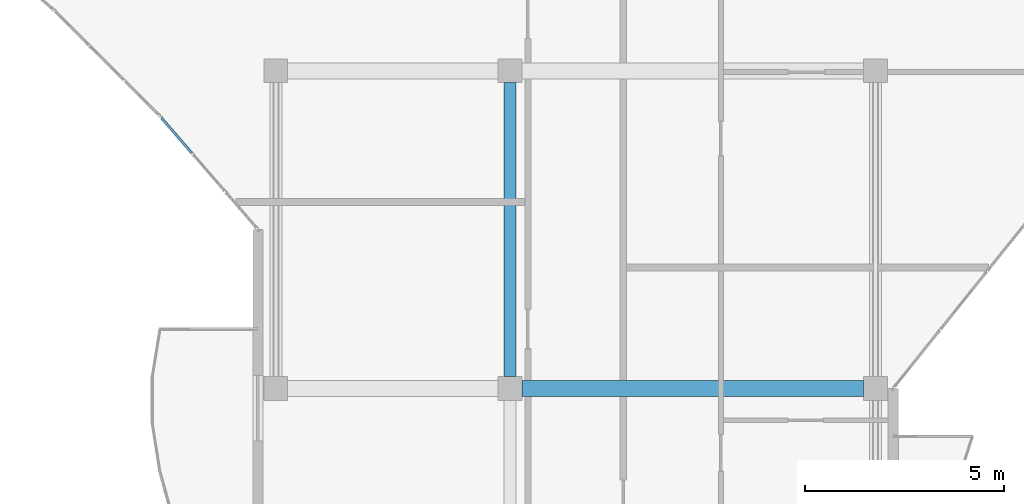
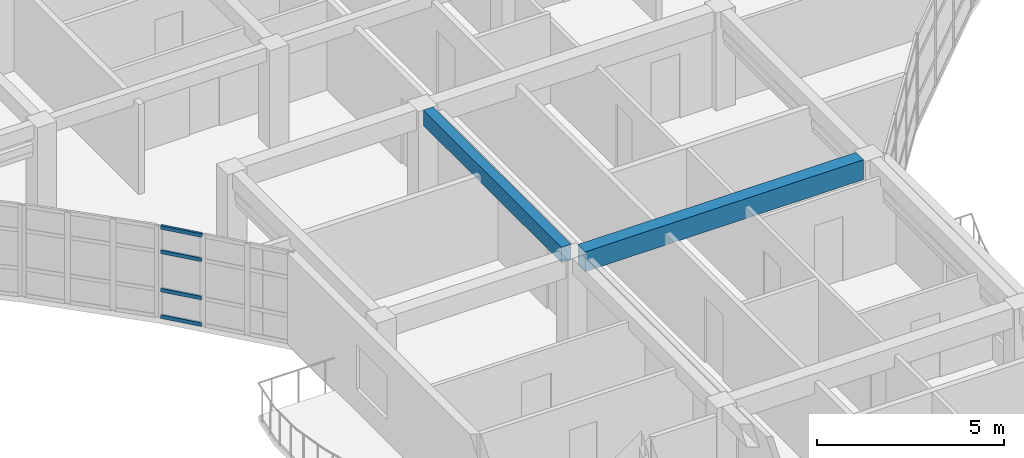
# One storey, part 12 of 71: 4 members, 2 beams, 1 element without a shape of its own.
"""IFC4 building model written with IfcOpenShell, lengths in metres."""

from ifc_helpers import new_model, si_unit, direction, frame, origin, origin_2d, place, context, subcontext, project, spatial, rectangle, hollow_rectangle, extrude, material, layer, layer_set, material_profile, profile_set, type_object, element, aggregate, save


model = new_model("IFC4")

# Units and contexts
model_context = context("Model", 3, precision=1e-05, world=origin(), true_north=direction((0.0, 1.0)))
body_context = subcontext(model_context, "Body", "Model", "MODEL_VIEW")
ifc_project = project(units=[si_unit("LENGTHUNIT", "METRE"), si_unit("AREAUNIT", "SQUARE_METRE"), si_unit("VOLUMEUNIT", "CUBIC_METRE"), si_unit("PLANEANGLEUNIT", "RADIAN"), si_unit("MASSUNIT", "GRAM", prefix="KILO")], contexts=[model_context])

# Site, building, storey
site_placement = place(None, origin())
site = spatial("IfcSite", under=ifc_project, at=site_placement, CompositionType="ELEMENT")
building_placement = place(site_placement, origin())
building = spatial("IfcBuilding", under=site, at=building_placement, Name="Keldmere Railside Commons", CompositionType="ELEMENT")
storey_placement = place(building_placement, frame((0.0, 0.0, 20.159912109375)))
storey = spatial("IfcBuildingStorey", under=building, at=storey_placement, Name="L06", CompositionType="ELEMENT", Elevation=20.159912109375)

# Beams
ifc_material_1 = material(Name="Concrete H-30 (C30/37)", Category="concrete")
ifc_material_profile_1 = material_profile(ifc_material_1, rectangle(XDim=0.39990234375, YDim=0.64990234375, at=origin_2d()), Name="RC-400x650")
ifc_profile_set_1 = profile_set([ifc_material_profile_1], Name="Concrete H-30 (C30/37)")
beam_type_1 = type_object("IfcBeamType", Name="Residential Spine RC Girder 400x650", PredefinedType="BEAM", material=ifc_profile_set_1)
beam_1_placement = place(storey_placement, frame((110.64990234375, 88.0, 2.875), z_axis=(1.0, 0.0, 0.0), x_axis=(0.0, 1.0, 0.0)))
element("IfcBeam", 1, at=beam_1_placement, inside=storey, type_object=beam_type_1, Name="BG-3 BM-L06-1886", PredefinedType="BEAM", context=body_context, shape_type="SweptSolid", body=[
    extrude(rectangle(XDim=0.39990234375, YDim=0.64990234375, at=origin_2d()), origin(), (0.0, 0.0, 1.0), 8.60009765625),
])
ifc_material_profile_2 = material_profile(ifc_material_1, rectangle(XDim=0.300048828125, YDim=0.5, at=origin_2d()), Name="RC-300x500")
ifc_profile_set_2 = profile_set([ifc_material_profile_2], Name="Concrete H-30 (C30/37)")
beam_type_2 = type_object("IfcBeamType", Name="Secondary Frame RC Beam 300x500", PredefinedType="BEAM", material=ifc_profile_set_2)
beam_2_placement = place(storey_placement, frame((110.35009765625, 88.300048828125, 2.9501953125), z_axis=(0.0, 1.0, 0.0), x_axis=(-1.0, 0.0, 0.0)))
element("IfcBeam", 2, at=beam_2_placement, inside=storey, type_object=beam_type_2, Name="BG-5 BM-L06-1985", PredefinedType="BEAM", context=body_context, shape_type="SweptSolid", body=[
    extrude(rectangle(XDim=0.300048828125, YDim=0.5, at=origin_2d()), origin(), (0.0, 0.0, 1.0), 7.39990234375),
])

# Curtain wall, members
ifc_material_2 = material(Name="Thermally Broken Aluminium", Category="aluminium")
ifc_layer = layer(ifc_material_2, 0.159912109375, Name="Court Chord Wintergarden CW 4800x2850")
ifc_layer_set = layer_set([ifc_layer], Name="Thermally Broken Aluminium")
curtain_wall_type = type_object("IfcCurtainWallType", Name="Court Chord Wintergarden CW 4800x2850", PredefinedType="NOTDEFINED", material=ifc_layer_set)
curtain_wall_placement = place(storey_placement, origin())
curtain_wall = element("IfcCurtainWall", 3, at=curtain_wall_placement, inside=storey, type_object=curtain_wall_type, Name="CW-12 CW-L06-126", PredefinedType="NOTDEFINED")
ifc_material_profile_3 = material_profile(ifc_material_2, hollow_rectangle(XDim=0.06494140625, YDim=0.1201171875, WallThickness=0.00390625, at=origin_2d()), Name="ALU-TRAN-65x120")
ifc_profile_set_3 = profile_set([ifc_material_profile_3], Name="Thermally Broken Aluminium")
member_type = type_object("IfcMemberType", Name="Unitised Curtain Wall Transom 65x120", PredefinedType="USERDEFINED", material=ifc_profile_set_3)
member_1_placement = place(storey_placement, frame((102.33203125, 93.929931640625, 0.032470703125), z_axis=(-0.653849663033, 0.756624489527, 0.0), x_axis=(-0.756624489527, -0.653849663033, 0.0)))
member_1 = element("IfcMember", 4, at=member_1_placement, type_object=member_type, Name="CW-12 transom 3.1", ObjectType="TRANSOM", PredefinedType="USERDEFINED", context=body_context, shape_type="SweptSolid", body=[
    extrude(hollow_rectangle(XDim=0.06494140625, YDim=0.1201171875, WallThickness=0.00390625, at=origin_2d()), origin(), (0.0, 0.0, 1.0), 1.16162109375),
])
member_2_placement = place(storey_placement, frame((102.33203125, 93.929931640625, 0.900146484375), z_axis=(-0.653849663033, 0.756624489527, 0.0), x_axis=(-0.756624489527, -0.653849663033, 0.0)))
member_2 = element("IfcMember", 5, at=member_2_placement, type_object=member_type, Name="CW-12 transom 3.2", ObjectType="TRANSOM", PredefinedType="USERDEFINED", context=body_context, shape_type="SweptSolid", body=[
    extrude(hollow_rectangle(XDim=0.06494140625, YDim=0.1201171875, WallThickness=0.00390625, at=origin_2d()), origin(), (0.0, 0.0, 1.0), 1.16162109375),
])
member_3_placement = place(storey_placement, frame((102.33203125, 93.929931640625, 2.150146484375), z_axis=(-0.653849663033, 0.756624489527, 0.0), x_axis=(-0.756624489527, -0.653849663033, 0.0)))
member_3 = element("IfcMember", 6, at=member_3_placement, type_object=member_type, Name="CW-12 transom 3.3", ObjectType="TRANSOM", PredefinedType="USERDEFINED", context=body_context, shape_type="SweptSolid", body=[
    extrude(hollow_rectangle(XDim=0.06494140625, YDim=0.1201171875, WallThickness=0.00390625, at=origin_2d()), origin(), (0.0, 0.0, 1.0), 1.16162109375),
])
member_4_placement = place(storey_placement, frame((102.33203125, 93.929931640625, 2.947509765625), z_axis=(-0.653849663033, 0.756624489527, 0.0), x_axis=(-0.756624489527, -0.653849663033, 0.0)))
member_4 = element("IfcMember", 7, at=member_4_placement, type_object=member_type, Name="CW-12 transom 3.4", ObjectType="TRANSOM", PredefinedType="USERDEFINED", context=body_context, shape_type="SweptSolid", body=[
    extrude(hollow_rectangle(XDim=0.06494140625, YDim=0.1201171875, WallThickness=0.00390625, at=origin_2d()), origin(), (0.0, 0.0, 1.0), 1.16162109375),
])
aggregate(curtain_wall, [member_1, member_2, member_3, member_4])

save(model, "model.ifc")
